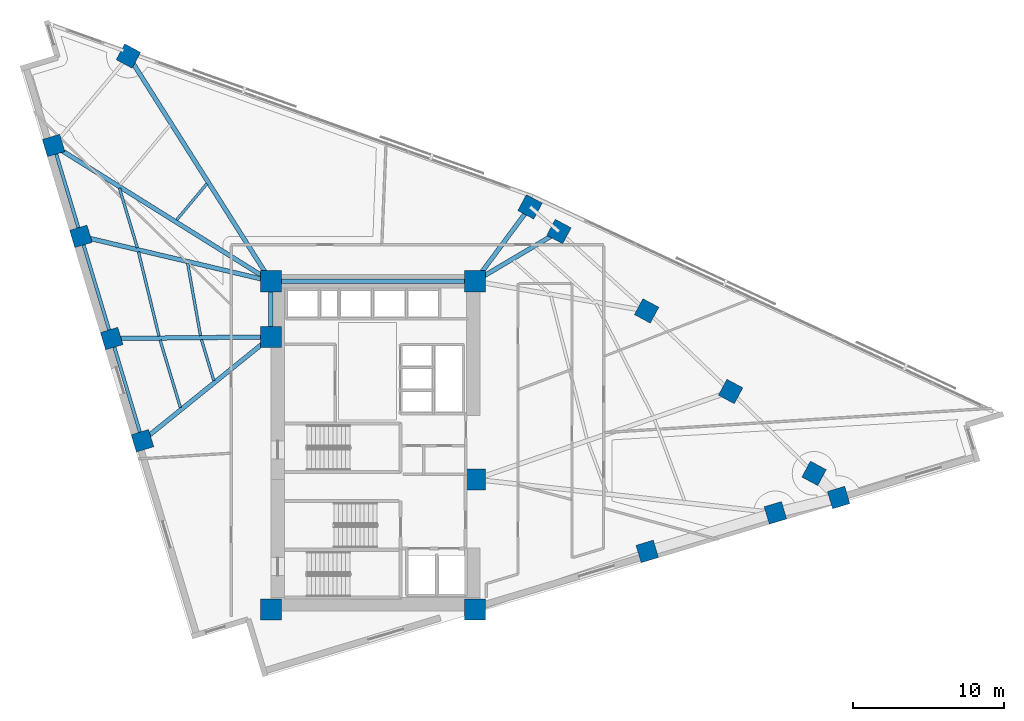
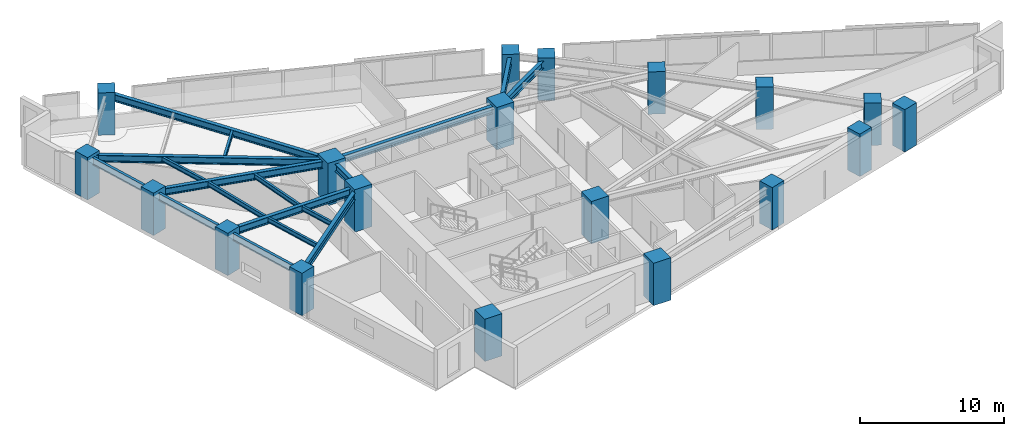
# One storey, part 1 of 17: 19 columns, 18 beams.
"""IFC4 building model written with IfcOpenShell, lengths in metres."""

from ifc_helpers import new_model, si_unit, direction, frame, origin, origin_2d, place, context, subcontext, project, spatial, rectangle, i_section, extrude, material, material_profile, profile_set, type_object, element, save


model = new_model("IFC4")

# Units and contexts
model_context = context("Model", 3, precision=1e-05, world=origin(), true_north=direction((0.0, 1.0)))
body_context = subcontext(model_context, "Body", "Model", "MODEL_VIEW")
ifc_project = project(units=[si_unit("LENGTHUNIT", "METRE"), si_unit("AREAUNIT", "SQUARE_METRE"), si_unit("VOLUMEUNIT", "CUBIC_METRE"), si_unit("PLANEANGLEUNIT", "RADIAN"), si_unit("MASSUNIT", "GRAM", prefix="KILO")], contexts=[model_context])

# Site, building, storey
site_placement = place(None, origin())
site = spatial("IfcSite", under=ifc_project, at=site_placement, CompositionType="ELEMENT")
building_placement = place(site_placement, origin())
building = spatial("IfcBuilding", under=site, at=building_placement, Name="Narakoshi Arena Tower", CompositionType="ELEMENT")
storey_placement = place(building_placement, frame((0.0, 0.0, 139.5)))
storey = spatial("IfcBuildingStorey", under=building, at=storey_placement, Name="L37", CompositionType="ELEMENT", Elevation=139.5)

# Columns
ifc_material_1 = material(Name="Concrete C60/75", Category="concrete")
ifc_material_profile_1 = material_profile(ifc_material_1, rectangle(XDim=1.199951171875, YDim=1.199951171875, at=origin_2d()), Name="RC1200x1200")
ifc_profile_set_1 = profile_set([ifc_material_profile_1], Name="Concrete C60/75")
column_type_1 = type_object("IfcColumnType", Name="COL-RC1200", PredefinedType="COLUMN", material=ifc_profile_set_1)
for number, where, z_axis, x_axis, name in (
    (1, (96.984619140625, 38.565185546875, 0.0), (0.0, 0.0, 1.0), (0.957571360805, 0.288196268134, 0.0), "L37 Tower Perimeter Column TC02"),
    (2, (105.49365234375, 41.126220703125, 0.0), (0.0, 0.0, 1.0), (0.957571360805, 0.288196268134, 0.0), "L37 Tower Perimeter Column TC03"),
    (3, (109.692626953125, 42.13916015625, 0.0), (0.0, 0.0, 1.0), (0.957571360805, 0.288196268134, 0.0), "L37 Tower Perimeter Column TC04"),
    (4, (108.061279296875, 43.74560546875, 0.0), (0.0, 0.0, 1.0), (0.473319667185, 0.880890738205, 0.0), "L37 Tower Perimeter Column TC05"),
    (5, (102.522216796875, 49.17919921875, 0.0), (0.0, 0.0, 1.0), (0.473319667185, 0.880890738205, 0.0), "L37 Tower Perimeter Column TC06"),
    (6, (96.9443359375, 54.528076171875, 0.0), (0.0, 0.0, 1.0), (0.473319667185, 0.880890738205, 0.0), "L37 Tower Perimeter Column TC07"),
    (7, (91.12646484375, 59.798095703125, 0.0), (0.0, 0.0, 1.0), (0.473319667185, 0.880890738205, 0.0), "L37 Tower Perimeter Column TC08"),
    (8, (89.206787109375, 61.437744140625, 0.0), (0.0, 0.0, 1.0), (0.473319667185, 0.880890738205, 0.0), "L37 Tower Perimeter Column TC09"),
    (9, (62.545166015625, 71.4501953125, 0.0), (0.0, 0.0, 1.0), (0.473319667185, 0.880890738205, 0.0), "L37 Tower Perimeter Column TC11"),
    (10, (57.580810546875, 65.51220703125, 0.0), (0.0, 0.0, 1.0), (-0.288196268134, 0.957571360805, 0.0), "L37 Tower Perimeter Column TC13"),
    (11, (59.39599609375, 59.481201171875, 0.0), (0.0, 0.0, 1.0), (-0.288196268134, 0.957571360805, 0.0), "L37 Tower Perimeter Column TC14"),
    (12, (61.43798828125, 52.6962890625, 0.0), (0.0, 0.0, 1.0), (-0.288196268134, 0.957571360805, 0.0), "L37 Tower Perimeter Column TC15"),
    (13, (63.47998046875, 45.91162109375, 0.0), (0.0, 0.0, 1.0), (-0.288196268134, 0.957571360805, 0.0), "L37 Tower Perimeter Column TC16"),
):
    element("IfcColumn", number, at=place(storey_placement, frame(where, z_axis=z_axis, x_axis=x_axis)), inside=storey, type_object=column_type_1, Name=name, PredefinedType="COLUMN", context=body_context, shape_type="SweptSolid", body=[
        extrude(rectangle(XDim=1.199951171875, YDim=1.199951171875, at=origin_2d()), origin(), (0.0, 0.0, 1.0), 3.60009765625),
    ])
ifc_material_profile_2 = material_profile(ifc_material_1, rectangle(XDim=1.39990234375, YDim=1.39990234375, at=origin_2d()), Name="RC1400x1400")
ifc_profile_set_2 = profile_set([ifc_material_profile_2], Name="Concrete C60/75")
column_type_2 = type_object("IfcColumnType", Name="COL-RC1400", PredefinedType="COLUMN", material=ifc_profile_set_2)
for number, where, z_axis, x_axis, name in (
    (14, (72.0, 34.699951171875, 0.0), (0.0, 0.0, 1.0), (1.0, 0.0, 0.0), "L37 Core Structural Column CC1"),
    (15, (85.550048828125, 34.699951171875, 0.0), (0.0, 0.0, 1.0), (1.0, 0.0, 0.0), "L37 Core Structural Column CC2"),
    (16, (85.550048828125, 43.35009765625, 0.0), (0.0, 0.0, 1.0), (1.0, 0.0, 0.0), "L37 Core Structural Column CC3"),
    (17, (72.0, 52.800048828125, 0.0), (0.0, 0.0, 1.0), (1.0, 0.0, 0.0), "L37 Core Structural Column CC4"),
    (18, (72.0, 56.5, 0.0), (0.0, 0.0, 1.0), (1.0, 0.0, 0.0), "L37 Core Structural Column CC5"),
    (19, (85.550048828125, 56.5, 0.0), (0.0, 0.0, 1.0), (1.0, 0.0, 0.0), "L37 Core Structural Column CC6"),
):
    element("IfcColumn", number, at=place(storey_placement, frame(where, z_axis=z_axis, x_axis=x_axis)), inside=storey, type_object=column_type_2, Name=name, PredefinedType="COLUMN", context=body_context, shape_type="SweptSolid", body=[
        extrude(rectangle(XDim=1.39990234375, YDim=1.39990234375, at=origin_2d()), origin(), (0.0, 0.0, 1.0), 3.60009765625),
    ])

# Beams
ifc_material_2 = material(Name="Structural steel S355J2", Category="steel")
ifc_material_profile_3 = material_profile(ifc_material_2, i_section(OverallWidth=0.219970703125, OverallDepth=0.60009765625, WebThickness=0.011962890625, FlangeThickness=0.01904296875, FilletRadius=0.02392578125, at=origin_2d()), Name="IPE600")
ifc_profile_set_3 = profile_set([ifc_material_profile_3], Name="Structural steel S355J2")
beam_type_1 = type_object("IfcBeamType", Name="BM-EDGE-600", PredefinedType="BEAM", material=ifc_profile_set_3)
beam_1_placement = place(storey_placement, frame((57.580810546875, 65.51220703125, 3.0400390625), z_axis=(0.288204829742, -0.957568784011, 0.0), x_axis=(0.957568784011, 0.288204829742, 0.0)))
element("IfcBeam", 20, at=beam_1_placement, inside=storey, type_object=beam_type_1, Name="L37 Perimeter Edge Girder 10", PredefinedType="BEAM", context=body_context, shape_type="SweptSolid", body=[
    extrude(i_section(OverallWidth=0.219970703125, OverallDepth=0.60009765625, WebThickness=0.011962890625, FlangeThickness=0.01904296875, FilletRadius=0.02392578125, at=origin_2d()), origin(), (0.0, 0.0, 1.0), 6.29833984375),
])
beam_2_placement = place(storey_placement, frame((59.39599609375, 59.481201171875, 3.0400390625), z_axis=(0.28819179325, -0.957572707581, 0.0), x_axis=(0.957572707581, 0.28819179325, 0.0)))
element("IfcBeam", 21, at=beam_2_placement, inside=storey, type_object=beam_type_1, Name="L37 Perimeter Edge Girder 11", PredefinedType="BEAM", context=body_context, shape_type="SweptSolid", body=[
    extrude(i_section(OverallWidth=0.219970703125, OverallDepth=0.60009765625, WebThickness=0.011962890625, FlangeThickness=0.01904296875, FilletRadius=0.02392578125, at=origin_2d()), origin(), (0.0, 0.0, 1.0), 7.08544921875),
])
beam_3_placement = place(storey_placement, frame((61.43798828125, 52.6962890625, 3.0400390625), z_axis=(0.288201302245, -0.957569845695, 0.0), x_axis=(0.957569845695, 0.288201302245, 0.0)))
element("IfcBeam", 22, at=beam_3_placement, inside=storey, type_object=beam_type_1, Name="L37 Perimeter Edge Girder 12", PredefinedType="BEAM", context=body_context, shape_type="SweptSolid", body=[
    extrude(i_section(OverallWidth=0.219970703125, OverallDepth=0.60009765625, WebThickness=0.011962890625, FlangeThickness=0.01904296875, FilletRadius=0.02392578125, at=origin_2d()), origin(), (0.0, 0.0, 1.0), 7.085205078125),
])
ifc_material_profile_4 = material_profile(ifc_material_2, i_section(OverallWidth=0.300048828125, OverallDepth=0.60009765625, WebThickness=0.015380859375, FlangeThickness=0.030029296875, FilletRadius=0.027099609375, at=origin_2d()), Name="HE600B")
ifc_profile_set_4 = profile_set([ifc_material_profile_4], Name="Structural steel S355J2")
beam_type_2 = type_object("IfcBeamType", Name="BM-PRI-600", PredefinedType="BEAM", material=ifc_profile_set_4)
beam_4_placement = place(storey_placement, frame((85.550048828125, 56.5, 3.0400390625), z_axis=(0.860727657757, 0.509065712037, 0.0), x_axis=(-0.509065712037, 0.860727657757, 0.0)))
element("IfcBeam", 23, at=beam_4_placement, inside=storey, type_object=beam_type_2, Name="L37 Radial Primary Floor Girder 07", PredefinedType="BEAM", context=body_context, shape_type="SweptSolid", body=[
    extrude(i_section(OverallWidth=0.300048828125, OverallDepth=0.60009765625, WebThickness=0.015380859375, FlangeThickness=0.030029296875, FilletRadius=0.027099609375, at=origin_2d()), origin(), (0.0, 0.0, 1.0), 6.478759765625),
])
beam_5_placement = place(storey_placement, frame((85.550048828125, 56.5, 3.0400390625), z_axis=(0.595138224279, 0.803623353321, 0.0), x_axis=(-0.803623353321, 0.595138224279, 0.0)))
element("IfcBeam", 24, at=beam_5_placement, inside=storey, type_object=beam_type_2, Name="L37 Radial Primary Floor Girder 08", PredefinedType="BEAM", context=body_context, shape_type="SweptSolid", body=[
    extrude(i_section(OverallWidth=0.300048828125, OverallDepth=0.60009765625, WebThickness=0.015380859375, FlangeThickness=0.030029296875, FilletRadius=0.027099609375, at=origin_2d()), origin(), (0.0, 0.0, 1.0), 6.144287109375),
])
beam_6_placement = place(storey_placement, frame((72.0, 56.5, 3.0400390625), z_axis=(-0.534502303868, 0.845167017317, 0.0), x_axis=(-0.845167017317, -0.534502303868, 0.0)))
element("IfcBeam", 25, at=beam_6_placement, inside=storey, type_object=beam_type_2, Name="L37 Radial Primary Floor Girder 09", PredefinedType="BEAM", context=body_context, shape_type="SweptSolid", body=[
    extrude(i_section(OverallWidth=0.300048828125, OverallDepth=0.60009765625, WebThickness=0.015380859375, FlangeThickness=0.030029296875, FilletRadius=0.027099609375, at=origin_2d()), origin(), (0.0, 0.0, 1.0), 17.68896484375),
])
beam_7_placement = place(storey_placement, frame((72.0, 56.5, 3.0400390625), z_axis=(-0.847992657587, 0.530007974165, 0.0), x_axis=(-0.530007974165, -0.847992657587, 0.0)))
element("IfcBeam", 26, at=beam_7_placement, inside=storey, type_object=beam_type_2, Name="L37 Radial Primary Floor Girder 10", PredefinedType="BEAM", context=body_context, shape_type="SweptSolid", body=[
    extrude(i_section(OverallWidth=0.300048828125, OverallDepth=0.60009765625, WebThickness=0.015380859375, FlangeThickness=0.030029296875, FilletRadius=0.027099609375, at=origin_2d()), origin(), (0.0, 0.0, 1.0), 17.00390625),
])
beam_8_placement = place(storey_placement, frame((72.0, 56.5, 3.0400390625), z_axis=(-0.973148771856, 0.230177035857, 0.0), x_axis=(-0.230177035857, -0.973148771856, 0.0)))
element("IfcBeam", 27, at=beam_8_placement, inside=storey, type_object=beam_type_2, Name="L37 Radial Primary Floor Girder 11", PredefinedType="BEAM", context=body_context, shape_type="SweptSolid", body=[
    extrude(i_section(OverallWidth=0.300048828125, OverallDepth=0.60009765625, WebThickness=0.015380859375, FlangeThickness=0.030029296875, FilletRadius=0.027099609375, at=origin_2d()), origin(), (0.0, 0.0, 1.0), 12.95166015625),
])
beam_9_placement = place(storey_placement, frame((72.0, 52.800048828125, 3.0400390625), z_axis=(-0.999951749341, -0.009823389891, 0.0), x_axis=(0.009823389891, -0.999951749341, 0.0)))
element("IfcBeam", 28, at=beam_9_placement, inside=storey, type_object=beam_type_2, Name="L37 Radial Primary Floor Girder 12", PredefinedType="BEAM", context=body_context, shape_type="SweptSolid", body=[
    extrude(i_section(OverallWidth=0.300048828125, OverallDepth=0.60009765625, WebThickness=0.015380859375, FlangeThickness=0.030029296875, FilletRadius=0.027099609375, at=origin_2d()), origin(), (0.0, 0.0, 1.0), 10.5625),
])
beam_10_placement = place(storey_placement, frame((72.0, 52.800048828125, 3.0400390625), z_axis=(-0.777634431076, -0.628716702184, 0.0), x_axis=(0.628716702184, -0.777634431076, 0.0)))
element("IfcBeam", 29, at=beam_10_placement, inside=storey, type_object=beam_type_2, Name="L37 Radial Primary Floor Girder 13", PredefinedType="BEAM", context=body_context, shape_type="SweptSolid", body=[
    extrude(i_section(OverallWidth=0.300048828125, OverallDepth=0.60009765625, WebThickness=0.015380859375, FlangeThickness=0.030029296875, FilletRadius=0.027099609375, at=origin_2d()), origin(), (0.0, 0.0, 1.0), 10.956298828125),
])
beam_11_placement = place(storey_placement, frame((72.0, 52.800048828125, 3.0400390625), z_axis=(0.0, 1.0, 0.0), x_axis=(-1.0, 0.0, 0.0)))
element("IfcBeam", 30, at=beam_11_placement, inside=storey, type_object=beam_type_2, Name="L37 Core Perimeter Frame Beam CC4-CC5", PredefinedType="BEAM", context=body_context, shape_type="SweptSolid", body=[
    extrude(i_section(OverallWidth=0.300048828125, OverallDepth=0.60009765625, WebThickness=0.015380859375, FlangeThickness=0.030029296875, FilletRadius=0.027099609375, at=origin_2d()), origin(), (0.0, 0.0, 1.0), 3.699951171875),
])
beam_12_placement = place(storey_placement, frame((72.0, 56.5, 3.0400390625), z_axis=(1.0, 0.0, 0.0), x_axis=(0.0, 1.0, 0.0)))
element("IfcBeam", 31, at=beam_12_placement, inside=storey, type_object=beam_type_2, Name="L37 Core Perimeter Frame Beam CC5-CC6", PredefinedType="BEAM", context=body_context, shape_type="SweptSolid", body=[
    extrude(i_section(OverallWidth=0.300048828125, OverallDepth=0.60009765625, WebThickness=0.015380859375, FlangeThickness=0.030029296875, FilletRadius=0.027099609375, at=origin_2d()), origin(), (0.0, 0.0, 1.0), 13.550048828125),
])
ifc_material_profile_5 = material_profile(ifc_material_2, i_section(OverallWidth=0.179931640625, OverallDepth=0.39990234375, WebThickness=0.008544921875, FlangeThickness=0.013427734375, FilletRadius=0.02099609375, at=origin_2d()), Name="IPE400")
ifc_profile_set_5 = profile_set([ifc_material_profile_5], Name="Structural steel S355J2")
beam_type_3 = type_object("IfcBeamType", Name="BM-SEC-400", PredefinedType="JOIST", material=ifc_profile_set_5)
beam_13_placement = place(storey_placement, frame((67.75341796875, 62.974609375, 3.139892578125), z_axis=(-0.641393594334, -0.767212002739, 0.0), x_axis=(0.767212002739, -0.641393594334, 0.0)))
element("IfcBeam", 32, at=beam_13_placement, inside=storey, type_object=beam_type_3, Name="L37 Composite Secondary Floor Joist 07", PredefinedType="JOIST", context=body_context, shape_type="SweptSolid", body=[
    extrude(i_section(OverallWidth=0.179931640625, OverallDepth=0.39990234375, WebThickness=0.008544921875, FlangeThickness=0.013427734375, FilletRadius=0.02099609375, at=origin_2d()), origin(), (0.0, 0.0, 1.0), 3.1357421875),
])
beam_14_placement = place(storey_placement, frame((61.945556640625, 62.67919921875, 3.139892578125), z_axis=(0.288164978579, -0.957580777334, 0.0), x_axis=(0.957580777334, 0.288164978579, 0.0)))
element("IfcBeam", 33, at=beam_14_placement, inside=storey, type_object=beam_type_3, Name="L37 Composite Secondary Floor Joist 09", PredefinedType="JOIST", context=body_context, shape_type="SweptSolid", body=[
    extrude(i_section(OverallWidth=0.179931640625, OverallDepth=0.39990234375, WebThickness=0.008544921875, FlangeThickness=0.013427734375, FilletRadius=0.02099609375, at=origin_2d()), origin(), (0.0, 0.0, 1.0), 4.138671875),
])
beam_15_placement = place(storey_placement, frame((66.477783203125, 57.6787109375, 3.139892578125), z_axis=(0.174932831413, -0.984580369748, 0.0), x_axis=(0.984580369748, 0.174932831413, 0.0)))
element("IfcBeam", 34, at=beam_15_placement, inside=storey, type_object=beam_type_3, Name="L37 Composite Secondary Floor Joist 10", PredefinedType="JOIST", context=body_context, shape_type="SweptSolid", body=[
    extrude(i_section(OverallWidth=0.179931640625, OverallDepth=0.39990234375, WebThickness=0.008544921875, FlangeThickness=0.013427734375, FilletRadius=0.02099609375, at=origin_2d()), origin(), (0.0, 0.0, 1.0), 4.866455078125),
])
beam_16_placement = place(storey_placement, frame((63.209228515625, 58.455810546875, 3.139892578125), z_axis=(0.237007882621, -0.971507726977, 0.0), x_axis=(0.971507726977, 0.237007882621, 0.0)))
element("IfcBeam", 35, at=beam_16_placement, inside=storey, type_object=beam_type_3, Name="L37 Composite Secondary Floor Joist 11", PredefinedType="JOIST", context=body_context, shape_type="SweptSolid", body=[
    extrude(i_section(OverallWidth=0.179931640625, OverallDepth=0.39990234375, WebThickness=0.008544921875, FlangeThickness=0.013427734375, FilletRadius=0.02099609375, at=origin_2d()), origin(), (0.0, 0.0, 1.0), 5.76123046875),
])
beam_17_placement = place(storey_placement, frame((67.3916015625, 52.625, 3.139892578125), z_axis=(0.288260224985, -0.957552109648, 0.0), x_axis=(0.957552109648, 0.288260224985, 0.0)))
element("IfcBeam", 36, at=beam_17_placement, inside=storey, type_object=beam_type_3, Name="L37 Composite Secondary Floor Joist 12", PredefinedType="JOIST", context=body_context, shape_type="SweptSolid", body=[
    extrude(i_section(OverallWidth=0.179931640625, OverallDepth=0.39990234375, WebThickness=0.008544921875, FlangeThickness=0.013427734375, FilletRadius=0.02099609375, at=origin_2d()), origin(), (0.0, 0.0, 1.0), 2.847412109375),
])
beam_18_placement = place(storey_placement, frame((64.6455078125, 52.59814453125, 3.139892578125), z_axis=(0.28819790807, -0.957570867239, 0.0), x_axis=(0.957570867239, 0.28819790807, 0.0)))
element("IfcBeam", 37, at=beam_18_placement, inside=storey, type_object=beam_type_3, Name="L37 Composite Secondary Floor Joist 13", PredefinedType="JOIST", context=body_context, shape_type="SweptSolid", body=[
    extrude(i_section(OverallWidth=0.179931640625, OverallDepth=0.39990234375, WebThickness=0.008544921875, FlangeThickness=0.013427734375, FilletRadius=0.02099609375, at=origin_2d()), origin(), (0.0, 0.0, 1.0), 4.689697265625),
])

save(model, "model.ifc")
